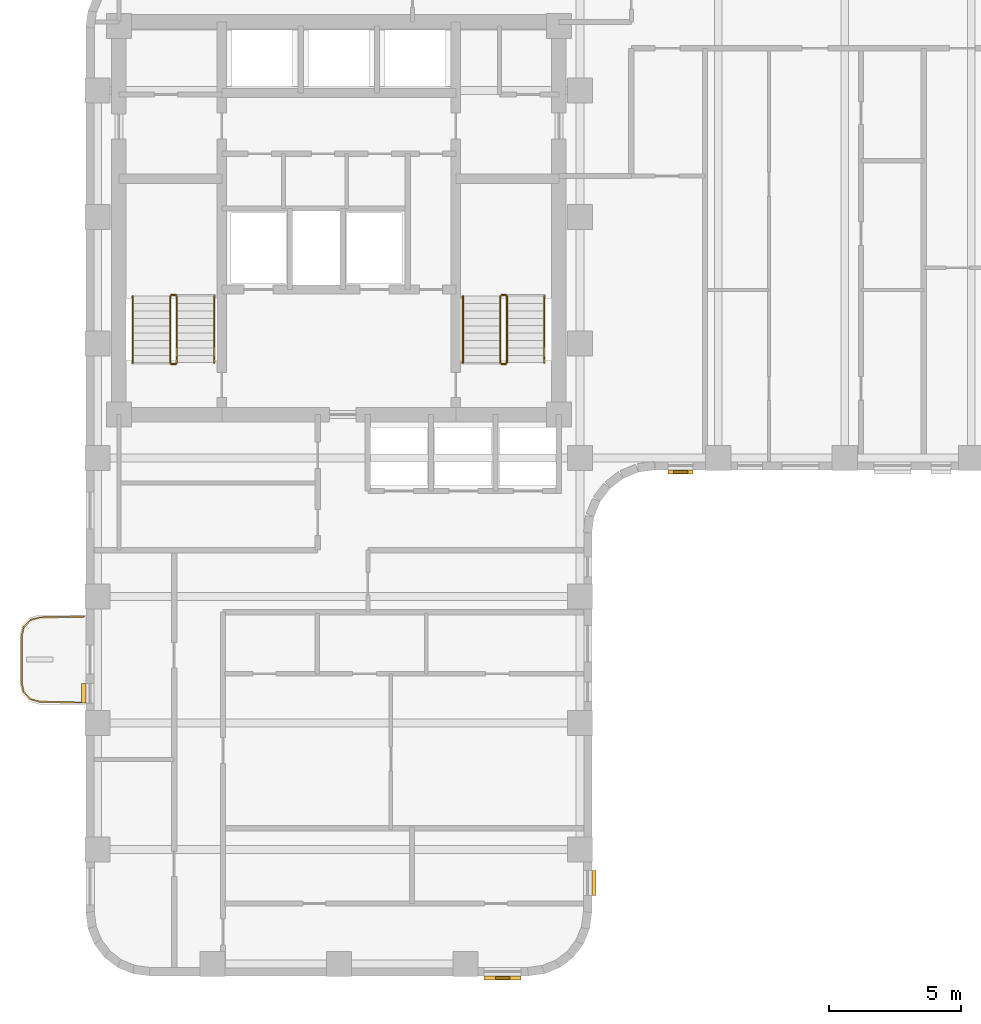
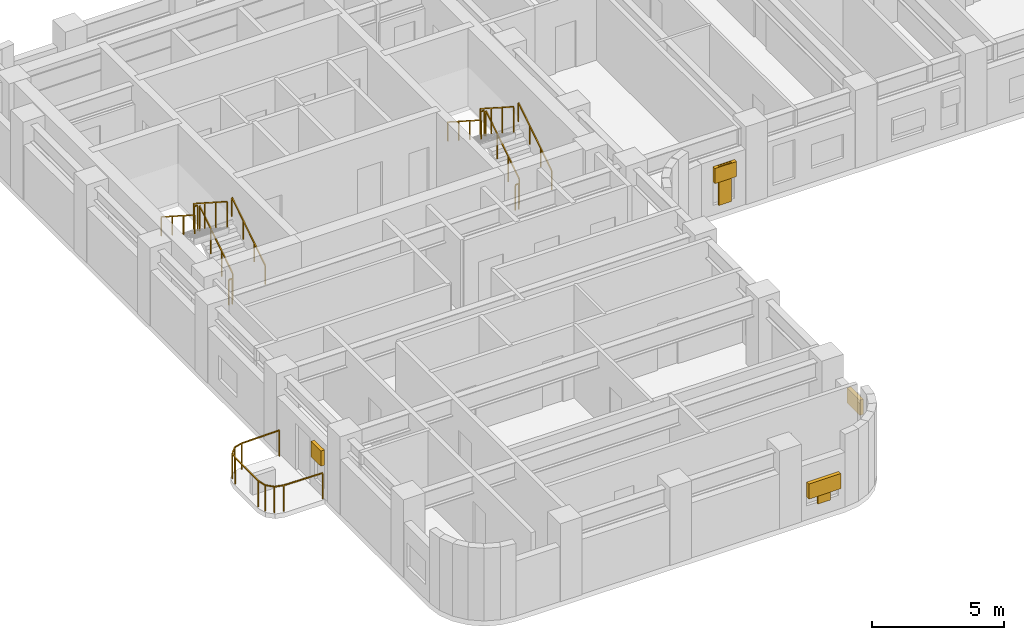
# One storey, part 8 of 10: 13 railings, 6 shading devices.
"""IFC4 building model written with IfcOpenShell, lengths in metres."""

from ifc_helpers import new_model, si_unit, direction, frame, origin, origin_2d, place, context, subcontext, project, spatial, rectangle, extrude, material, type_object, element, save


model = new_model("IFC4")

# Units and contexts
model_context = context("Model", 3, precision=1e-05, world=origin(), true_north=direction((0.0, 1.0)))
body_context = subcontext(model_context, "Body", "Model", "MODEL_VIEW")
ifc_project = project(units=[si_unit("LENGTHUNIT", "METRE"), si_unit("AREAUNIT", "SQUARE_METRE"), si_unit("VOLUMEUNIT", "CUBIC_METRE"), si_unit("PLANEANGLEUNIT", "RADIAN"), si_unit("MASSUNIT", "GRAM", prefix="KILO")], contexts=[model_context])

# Site, building, storey
site_placement = place(None, origin())
site = spatial("IfcSite", under=ifc_project, at=site_placement, CompositionType="ELEMENT")
building_placement = place(site_placement, origin())
building = spatial("IfcBuilding", under=site, at=building_placement, Name="Orvandelia Arch Residences", CompositionType="ELEMENT")
storey_placement = place(building_placement, frame((0.0, 0.0, 143.199951171875)))
storey = spatial("IfcBuildingStorey", under=building, at=storey_placement, Name="L37", CompositionType="ELEMENT", Elevation=143.199951171875)

# Railings
ifc_material_1 = material(Name="Marine-Grade Stainless Steel 316", Category="steel")
railing_type_1 = type_object("IfcRailingType", Name="GRD-BAL-1200", PredefinedType="BALUSTRADE", material=ifc_material_1)
railing_1_placement = place(storey_placement, frame((4.728271484375, 23.23046875, 0.0)))
element("IfcRailing", 1, at=railing_1_placement, inside=storey, type_object=railing_type_1, Name="Safety Balustrade Guard GRD-L37-BAL-L37-W1-1", PredefinedType="BALUSTRADE", context=body_context, shape_type="SweptSolid", body=[
    extrude(rectangle(XDim=0.048095703125, YDim=0.048095703125, at=origin_2d()), frame((0.0, 0.0, 1.19580078125), z_axis=(-0.999834751713, -0.018178813668, 0.0), x_axis=(0.018178813668, -0.999834751713, 0.0)), (0.0, 0.0, 1.0), 1.6787109375),
    extrude(rectangle(XDim=0.048095703125, YDim=0.048095703125, at=origin_2d()), frame((-1.678466796875, -0.030517578125, 1.19580078125), z_axis=(-0.96348920644, -0.267747173792, 0.0), x_axis=(0.267747173792, -0.96348920644, 0.0)), (0.0, 0.0, 1.0), 0.36572265625),
    extrude(rectangle(XDim=0.048095703125, YDim=0.048095703125, at=origin_2d()), frame((-2.03076171875, -0.12841796875, 1.19580078125), z_axis=(-0.688627404251, -0.725115368831, 0.0), x_axis=(0.725115368831, -0.688627404251, 0.0)), (0.0, 0.0, 1.0), 0.367919921875),
    extrude(rectangle(XDim=0.048095703125, YDim=0.048095703125, at=origin_2d()), frame((-2.2841796875, -0.395263671875, 1.19580078125), z_axis=(-0.220461657419, -0.975395641577, 0.0), x_axis=(0.975395641577, -0.220461657419, 0.0)), (0.0, 0.0, 1.0), 0.373291015625),
    extrude(rectangle(XDim=0.048095703125, YDim=0.048095703125, at=origin_2d()), frame((-2.366455078125, -0.75927734375, 1.19580078125), z_axis=(0.0, -1.0, 0.0), x_axis=(1.0, 0.0, 0.0)), (0.0, 0.0, 1.0), 1.742431640625),
    extrude(rectangle(XDim=0.048095703125, YDim=0.048095703125, at=origin_2d()), frame((-2.366455078125, -2.501708984375, 1.19580078125), z_axis=(0.220602419982, -0.975363815352, 0.0), x_axis=(0.975363815352, 0.220602419982, 0.0)), (0.0, 0.0, 1.0), 0.373046875),
    extrude(rectangle(XDim=0.048095703125, YDim=0.048095703125, at=origin_2d()), frame((-2.2841796875, -2.865478515625, 1.19580078125), z_axis=(0.688296224633, -0.725429739642, 0.0), x_axis=(0.725429739642, 0.688296224633, 0.0)), (0.0, 0.0, 1.0), 0.3681640625),
    extrude(rectangle(XDim=0.048095703125, YDim=0.048095703125, at=origin_2d()), frame((-2.03076171875, -3.132568359375, 1.19580078125), z_axis=(0.96348920644, -0.267747173792, 0.0), x_axis=(0.267747173792, 0.96348920644, 0.0)), (0.0, 0.0, 1.0), 0.36572265625),
    extrude(rectangle(XDim=0.048095703125, YDim=0.048095703125, at=origin_2d()), frame((-1.678466796875, -3.23046875, 1.19580078125), z_axis=(0.999834751713, -0.018178813668, 0.0), x_axis=(0.018178813668, 0.999834751713, 0.0)), (0.0, 0.0, 1.0), 1.6787109375),
    extrude(rectangle(XDim=0.0419921875, YDim=0.0419921875, at=origin_2d()), origin(), (0.0, 0.0, 1.0), 1.171875),
    extrude(rectangle(XDim=0.0419921875, YDim=0.0419921875, at=origin_2d()), frame((-1.678466796875, -0.030517578125, 0.0)), (0.0, 0.0, 1.0), 1.171875),
    extrude(rectangle(XDim=0.0419921875, YDim=0.0419921875, at=origin_2d()), frame((-2.03076171875, -0.12841796875, 0.0)), (0.0, 0.0, 1.0), 1.171875),
    extrude(rectangle(XDim=0.0419921875, YDim=0.0419921875, at=origin_2d()), frame((-2.2841796875, -0.395263671875, 0.0)), (0.0, 0.0, 1.0), 1.171875),
    extrude(rectangle(XDim=0.0419921875, YDim=0.0419921875, at=origin_2d()), frame((-2.366455078125, -0.75927734375, 0.0)), (0.0, 0.0, 1.0), 1.171875),
    extrude(rectangle(XDim=0.0419921875, YDim=0.0419921875, at=origin_2d()), frame((-2.366455078125, -2.501708984375, 0.0)), (0.0, 0.0, 1.0), 1.171875),
    extrude(rectangle(XDim=0.0419921875, YDim=0.0419921875, at=origin_2d()), frame((-2.2841796875, -2.865478515625, 0.0)), (0.0, 0.0, 1.0), 1.171875),
    extrude(rectangle(XDim=0.0419921875, YDim=0.0419921875, at=origin_2d()), frame((-2.03076171875, -3.132568359375, 0.0)), (0.0, 0.0, 1.0), 1.171875),
    extrude(rectangle(XDim=0.0419921875, YDim=0.0419921875, at=origin_2d()), frame((-1.678466796875, -3.23046875, 0.0)), (0.0, 0.0, 1.0), 1.171875),
    extrude(rectangle(XDim=0.0419921875, YDim=0.0419921875, at=origin_2d()), frame((0.0, -3.260986328125, 0.0)), (0.0, 0.0, 1.0), 1.171875),
])
ifc_material_2 = material(Name="Brushed Stainless Steel 304", Category="steel")
railing_type_2 = type_object("IfcRailingType", Name="RL-STAIR-GD1120", PredefinedType="GUARDRAIL", material=ifc_material_2)
railing_2_placement = place(storey_placement, frame((8.25, 32.8701171875, 0.179931640625)))
element("IfcRailing", 2, at=railing_2_placement, inside=storey, type_object=railing_type_2, Name="L37 ST-1 stair guard 1", PredefinedType="GUARDRAIL", context=body_context, shape_type="SweptSolid", body=[
    extrude(rectangle(XDim=0.048095703125, YDim=0.048095703125, at=origin_2d()), frame((0.0, 0.0, 1.17578125), z_axis=(0.0, 0.841138753965, 0.540819375188), x_axis=(-1.0, 0.0, 0.0)), (0.0, 0.0, 1.0), 2.99560546875),
    extrude(rectangle(XDim=0.0419921875, YDim=0.0419921875, at=origin_2d()), origin(), (0.0, 0.0, 1.0), 1.15185546875),
    extrude(rectangle(XDim=0.0419921875, YDim=0.0419921875, at=origin_2d()), frame((0.0, 0.83984375, 0.5400390625)), (0.0, 0.0, 1.0), 1.15185546875),
    extrude(rectangle(XDim=0.0419921875, YDim=0.0419921875, at=origin_2d()), frame((0.0, 1.679931640625, 1.080078125)), (0.0, 0.0, 1.0), 1.15185546875),
    extrude(rectangle(XDim=0.0419921875, YDim=0.0419921875, at=origin_2d()), frame((0.0, 2.519775390625, 1.6201171875)), (0.0, 0.0, 1.0), 1.15185546875),
])
railing_3_placement = place(storey_placement, frame((8.199951171875, 35.43994140625, 1.800048828125)))
element("IfcRailing", 3, at=railing_3_placement, inside=storey, type_object=railing_type_2, Name="L37 ST-1 stair guard 2", PredefinedType="GUARDRAIL", context=body_context, shape_type="SweptSolid", body=[
    extrude(rectangle(XDim=0.048095703125, YDim=0.048095703125, at=origin_2d()), frame((0.0, 0.0, 1.17578125), z_axis=(-1.0, 0.0, 0.0), x_axis=(0.0, -1.0, 0.0)), (0.0, 0.0, 1.0), 0.14990234375),
    extrude(rectangle(XDim=0.0419921875, YDim=0.0419921875, at=origin_2d()), origin(), (0.0, 0.0, 1.0), 1.15185546875),
    extrude(rectangle(XDim=0.0419921875, YDim=0.0419921875, at=origin_2d()), frame((-0.14990234375, 0.0, 0.0)), (0.0, 0.0, 1.0), 1.15185546875),
])
railing_4_placement = place(storey_placement, frame((8.0, 35.389892578125, 1.97998046875)))
element("IfcRailing", 4, at=railing_4_placement, inside=storey, type_object=railing_type_2, Name="L37 ST-1 stair guard 3", PredefinedType="GUARDRAIL", context=body_context, shape_type="SweptSolid", body=[
    extrude(rectangle(XDim=0.048095703125, YDim=0.048095703125, at=origin_2d()), frame((0.0, 0.0, 1.17578125), z_axis=(0.0, -0.841138753965, 0.540819375188), x_axis=(1.0, 0.0, 0.0)), (0.0, 0.0, 1.0), 2.99560546875),
    extrude(rectangle(XDim=0.0419921875, YDim=0.0419921875, at=origin_2d()), origin(), (0.0, 0.0, 1.0), 1.15185546875),
    extrude(rectangle(XDim=0.0419921875, YDim=0.0419921875, at=origin_2d()), frame((0.0, -0.83984375, 0.5400390625)), (0.0, 0.0, 1.0), 1.15185546875),
    extrude(rectangle(XDim=0.0419921875, YDim=0.0419921875, at=origin_2d()), frame((0.0, -1.679931640625, 1.080078125)), (0.0, 0.0, 1.0), 1.15185546875),
    extrude(rectangle(XDim=0.0419921875, YDim=0.0419921875, at=origin_2d()), frame((0.0, -2.519775390625, 1.6201171875)), (0.0, 0.0, 1.0), 1.15185546875),
])
railing_5_placement = place(storey_placement, frame((8.199951171875, 32.820068359375, 0.0)))
element("IfcRailing", 5, at=railing_5_placement, inside=storey, type_object=railing_type_2, Name="L37 ST-1 stair guard 4", PredefinedType="GUARDRAIL", context=body_context, shape_type="SweptSolid", body=[
    extrude(rectangle(XDim=0.048095703125, YDim=0.048095703125, at=origin_2d()), frame((0.0, 0.0, 1.17578125), z_axis=(-1.0, 0.0, 0.0), x_axis=(0.0, -1.0, 0.0)), (0.0, 0.0, 1.0), 0.14990234375),
    extrude(rectangle(XDim=0.0419921875, YDim=0.0419921875, at=origin_2d()), origin(), (0.0, 0.0, 1.0), 1.15185546875),
    extrude(rectangle(XDim=0.0419921875, YDim=0.0419921875, at=origin_2d()), frame((-0.14990234375, 0.0, 0.0)), (0.0, 0.0, 1.0), 1.15185546875),
])
railing_6_placement = place(storey_placement, frame((20.780029296875, 32.8701171875, 0.179931640625)))
element("IfcRailing", 6, at=railing_6_placement, inside=storey, type_object=railing_type_2, Name="L37 ST-2 stair guard 1", PredefinedType="GUARDRAIL", context=body_context, shape_type="SweptSolid", body=[
    extrude(rectangle(XDim=0.048095703125, YDim=0.048095703125, at=origin_2d()), frame((0.0, 0.0, 1.17578125), z_axis=(0.0, 0.841138753965, 0.540819375188), x_axis=(-1.0, 0.0, 0.0)), (0.0, 0.0, 1.0), 2.99560546875),
    extrude(rectangle(XDim=0.0419921875, YDim=0.0419921875, at=origin_2d()), origin(), (0.0, 0.0, 1.0), 1.15185546875),
    extrude(rectangle(XDim=0.0419921875, YDim=0.0419921875, at=origin_2d()), frame((0.0, 0.83984375, 0.5400390625)), (0.0, 0.0, 1.0), 1.15185546875),
    extrude(rectangle(XDim=0.0419921875, YDim=0.0419921875, at=origin_2d()), frame((0.0, 1.679931640625, 1.080078125)), (0.0, 0.0, 1.0), 1.15185546875),
    extrude(rectangle(XDim=0.0419921875, YDim=0.0419921875, at=origin_2d()), frame((0.0, 2.519775390625, 1.6201171875)), (0.0, 0.0, 1.0), 1.15185546875),
])
railing_7_placement = place(storey_placement, frame((20.72998046875, 35.43994140625, 1.800048828125)))
element("IfcRailing", 7, at=railing_7_placement, inside=storey, type_object=railing_type_2, Name="L37 ST-2 stair guard 2", PredefinedType="GUARDRAIL", context=body_context, shape_type="SweptSolid", body=[
    extrude(rectangle(XDim=0.048095703125, YDim=0.048095703125, at=origin_2d()), frame((0.0, 0.0, 1.17578125), z_axis=(-1.0, 0.0, 0.0), x_axis=(0.0, -1.0, 0.0)), (0.0, 0.0, 1.0), 0.14990234375),
    extrude(rectangle(XDim=0.0419921875, YDim=0.0419921875, at=origin_2d()), origin(), (0.0, 0.0, 1.0), 1.15185546875),
    extrude(rectangle(XDim=0.0419921875, YDim=0.0419921875, at=origin_2d()), frame((-0.14990234375, 0.0, 0.0)), (0.0, 0.0, 1.0), 1.15185546875),
])
railing_8_placement = place(storey_placement, frame((20.530029296875, 35.389892578125, 1.97998046875)))
element("IfcRailing", 8, at=railing_8_placement, inside=storey, type_object=railing_type_2, Name="L37 ST-2 stair guard 3", PredefinedType="GUARDRAIL", context=body_context, shape_type="SweptSolid", body=[
    extrude(rectangle(XDim=0.048095703125, YDim=0.048095703125, at=origin_2d()), frame((0.0, 0.0, 1.17578125), z_axis=(0.0, -0.841138753965, 0.540819375188), x_axis=(1.0, 0.0, 0.0)), (0.0, 0.0, 1.0), 2.99560546875),
    extrude(rectangle(XDim=0.0419921875, YDim=0.0419921875, at=origin_2d()), origin(), (0.0, 0.0, 1.0), 1.15185546875),
    extrude(rectangle(XDim=0.0419921875, YDim=0.0419921875, at=origin_2d()), frame((0.0, -0.83984375, 0.5400390625)), (0.0, 0.0, 1.0), 1.15185546875),
    extrude(rectangle(XDim=0.0419921875, YDim=0.0419921875, at=origin_2d()), frame((0.0, -1.679931640625, 1.080078125)), (0.0, 0.0, 1.0), 1.15185546875),
    extrude(rectangle(XDim=0.0419921875, YDim=0.0419921875, at=origin_2d()), frame((0.0, -2.519775390625, 1.6201171875)), (0.0, 0.0, 1.0), 1.15185546875),
])
railing_9_placement = place(storey_placement, frame((20.72998046875, 32.820068359375, 0.0)))
element("IfcRailing", 9, at=railing_9_placement, inside=storey, type_object=railing_type_2, Name="L37 ST-2 stair guard 4", PredefinedType="GUARDRAIL", context=body_context, shape_type="SweptSolid", body=[
    extrude(rectangle(XDim=0.048095703125, YDim=0.048095703125, at=origin_2d()), frame((0.0, 0.0, 1.17578125), z_axis=(-1.0, 0.0, 0.0), x_axis=(0.0, -1.0, 0.0)), (0.0, 0.0, 1.0), 0.14990234375),
    extrude(rectangle(XDim=0.0419921875, YDim=0.0419921875, at=origin_2d()), origin(), (0.0, 0.0, 1.0), 1.15185546875),
    extrude(rectangle(XDim=0.0419921875, YDim=0.0419921875, at=origin_2d()), frame((-0.14990234375, 0.0, 0.0)), (0.0, 0.0, 1.0), 1.15185546875),
])
railing_type_3 = type_object("IfcRailingType", Name="RL-STAIR-HR920", PredefinedType="HANDRAIL", material=ifc_material_2)
railing_10_placement = place(storey_placement, frame((9.669921875, 32.8701171875, 0.360107421875)))
element("IfcRailing", 10, at=railing_10_placement, inside=storey, type_object=railing_type_3, Name="L37 ST-1 stair handrail 1", PredefinedType="HANDRAIL", context=body_context, shape_type="SweptSolid", body=[
    extrude(rectangle(XDim=0.048095703125, YDim=0.048095703125, at=origin_2d()), frame((0.0, 0.0, 0.8759765625), z_axis=(0.0, 0.841175827307, 0.540761710511), x_axis=(-1.0, 0.0, 0.0)), (0.0, 0.0, 1.0), 2.99560546875),
    extrude(rectangle(XDim=0.0419921875, YDim=0.0419921875, at=origin_2d()), origin(), (0.0, 0.0, 1.0), 0.851806640625),
    extrude(rectangle(XDim=0.0419921875, YDim=0.0419921875, at=origin_2d()), frame((0.0, 0.83984375, 0.5400390625)), (0.0, 0.0, 1.0), 0.851806640625),
    extrude(rectangle(XDim=0.0419921875, YDim=0.0419921875, at=origin_2d()), frame((0.0, 1.679931640625, 1.079833984375)), (0.0, 0.0, 1.0), 0.851806640625),
    extrude(rectangle(XDim=0.0419921875, YDim=0.0419921875, at=origin_2d()), frame((0.0, 2.519775390625, 1.619873046875)), (0.0, 0.0, 1.0), 0.851806640625),
])
railing_11_placement = place(storey_placement, frame((6.580078125, 35.389892578125, 2.16015625)))
element("IfcRailing", 11, at=railing_11_placement, inside=storey, type_object=railing_type_3, Name="L37 ST-1 stair handrail 2", PredefinedType="HANDRAIL", context=body_context, shape_type="SweptSolid", body=[
    extrude(rectangle(XDim=0.048095703125, YDim=0.048095703125, at=origin_2d()), frame((0.0, 0.0, 0.8759765625), z_axis=(0.0, -0.841175827307, 0.540761710511), x_axis=(1.0, 0.0, 0.0)), (0.0, 0.0, 1.0), 2.99560546875),
    extrude(rectangle(XDim=0.0419921875, YDim=0.0419921875, at=origin_2d()), origin(), (0.0, 0.0, 1.0), 0.851806640625),
    extrude(rectangle(XDim=0.0419921875, YDim=0.0419921875, at=origin_2d()), frame((0.0, -0.83984375, 0.5400390625)), (0.0, 0.0, 1.0), 0.851806640625),
    extrude(rectangle(XDim=0.0419921875, YDim=0.0419921875, at=origin_2d()), frame((0.0, -1.679931640625, 1.079833984375)), (0.0, 0.0, 1.0), 0.851806640625),
    extrude(rectangle(XDim=0.0419921875, YDim=0.0419921875, at=origin_2d()), frame((0.0, -2.519775390625, 1.619873046875)), (0.0, 0.0, 1.0), 0.851806640625),
])
railing_12_placement = place(storey_placement, frame((22.199951171875, 32.8701171875, 0.360107421875)))
element("IfcRailing", 12, at=railing_12_placement, inside=storey, type_object=railing_type_3, Name="L37 ST-2 stair handrail 1", PredefinedType="HANDRAIL", context=body_context, shape_type="SweptSolid", body=[
    extrude(rectangle(XDim=0.048095703125, YDim=0.048095703125, at=origin_2d()), frame((0.0, 0.0, 0.8759765625), z_axis=(0.0, 0.841175827307, 0.540761710511), x_axis=(-1.0, 0.0, 0.0)), (0.0, 0.0, 1.0), 2.99560546875),
    extrude(rectangle(XDim=0.0419921875, YDim=0.0419921875, at=origin_2d()), origin(), (0.0, 0.0, 1.0), 0.851806640625),
    extrude(rectangle(XDim=0.0419921875, YDim=0.0419921875, at=origin_2d()), frame((0.0, 0.83984375, 0.5400390625)), (0.0, 0.0, 1.0), 0.851806640625),
    extrude(rectangle(XDim=0.0419921875, YDim=0.0419921875, at=origin_2d()), frame((0.0, 1.679931640625, 1.079833984375)), (0.0, 0.0, 1.0), 0.851806640625),
    extrude(rectangle(XDim=0.0419921875, YDim=0.0419921875, at=origin_2d()), frame((0.0, 2.519775390625, 1.619873046875)), (0.0, 0.0, 1.0), 0.851806640625),
])
railing_13_placement = place(storey_placement, frame((19.110107421875, 35.389892578125, 2.16015625)))
element("IfcRailing", 13, at=railing_13_placement, inside=storey, type_object=railing_type_3, Name="L37 ST-2 stair handrail 2", PredefinedType="HANDRAIL", context=body_context, shape_type="SweptSolid", body=[
    extrude(rectangle(XDim=0.048095703125, YDim=0.048095703125, at=origin_2d()), frame((0.0, 0.0, 0.8759765625), z_axis=(0.0, -0.841175827307, 0.540761710511), x_axis=(1.0, 0.0, 0.0)), (0.0, 0.0, 1.0), 2.99560546875),
    extrude(rectangle(XDim=0.0419921875, YDim=0.0419921875, at=origin_2d()), origin(), (0.0, 0.0, 1.0), 0.851806640625),
    extrude(rectangle(XDim=0.0419921875, YDim=0.0419921875, at=origin_2d()), frame((0.0, -0.83984375, 0.5400390625)), (0.0, 0.0, 1.0), 0.851806640625),
    extrude(rectangle(XDim=0.0419921875, YDim=0.0419921875, at=origin_2d()), frame((0.0, -1.679931640625, 1.079833984375)), (0.0, 0.0, 1.0), 0.851806640625),
    extrude(rectangle(XDim=0.0419921875, YDim=0.0419921875, at=origin_2d()), frame((0.0, -2.519775390625, 1.619873046875)), (0.0, 0.0, 1.0), 0.851806640625),
])

# Shading devices
ifc_material_3 = material(Name="Anodised Champagne-Bronze Extruded Aluminium", Category="aluminium")
shading_device_type_1 = type_object("IfcShadingDeviceType", Name="SHD-JALOUSIE-SCREEN", PredefinedType="JALOUSIE", material=ifc_material_3)
for number, where, z_axis, x_axis, name in (
    (14, (27.3701171875, 28.719970703125, 1.55029296875), (0.0, 0.0, 1.0), (-1.0, 0.0, 0.0), "Bronze Jalousie Sun-Shade L37-003"),
    (15, (24.080078125, 13.12353515625, 1.55029296875), (0.0, 0.0, 1.0), (0.0, -1.0, 0.0), "Bronze Jalousie Sun-Shade L37-005"),
):
    element("IfcShadingDevice", number, at=place(storey_placement, frame(where, z_axis=z_axis, x_axis=x_axis)), inside=storey, type_object=shading_device_type_1, Name=name, PredefinedType="JALOUSIE", context=body_context, shape_type="SweptSolid", body=[
        extrude(rectangle(XDim=0.949951171875, YDim=0.159912109375, at=origin_2d()), origin(), (0.0, 0.0, 1.0), 0.699951171875),
    ])
shading_device_1_placement = place(storey_placement, frame((20.617431640625, 9.52001953125, 1.05029296875), z_axis=(0.0, 0.0, 1.0), x_axis=(-1.0, 0.0, 0.0)))
element("IfcShadingDevice", 16, at=shading_device_1_placement, inside=storey, type_object=shading_device_type_1, Name="Bronze Jalousie Sun-Shade L37-006", PredefinedType="JALOUSIE", context=body_context, shape_type="SweptSolid", body=[
    extrude(rectangle(XDim=1.39990234375, YDim=0.159912109375, at=origin_2d()), origin(), (0.0, 0.0, 1.0), 0.699951171875),
])
shading_device_2_placement = place(storey_placement, frame((4.719970703125, 20.322509765625, 1.55029296875), z_axis=(0.0, 0.0, 1.0), x_axis=(0.0, 1.0, 0.0)))
element("IfcShadingDevice", 17, at=shading_device_2_placement, inside=storey, type_object=shading_device_type_1, Name="Bronze Jalousie Sun-Shade L37-007", PredefinedType="JALOUSIE", context=body_context, shape_type="SweptSolid", body=[
    extrude(rectangle(XDim=0.75, YDim=0.159912109375, at=origin_2d()), origin(), (0.0, 0.0, 1.0), 0.699951171875),
])
ifc_material_4 = material(Name="Marine-Grade Perforated Aluminium Storm Shutter", Category="aluminium")
shading_device_type_2 = type_object("IfcShadingDeviceType", Name="SHD-STORM-SHUTTER", PredefinedType="SHUTTER", material=ifc_material_4)
shading_device_3_placement = place(storey_placement, frame((27.3701171875, 28.719970703125, 0.4501953125), z_axis=(0.0, 0.0, 1.0), x_axis=(-1.0, 0.0, 0.0)))
element("IfcShadingDevice", 18, at=shading_device_3_placement, inside=storey, type_object=shading_device_type_2, Name="Operable Typhoon Storm Shutter L37-003", PredefinedType="SHUTTER", context=body_context, shape_type="SweptSolid", body=[
    extrude(rectangle(XDim=0.550048828125, YDim=0.080078125, at=origin_2d()), origin(), (0.0, 0.0, 1.0), 1.800048828125),
])
shading_device_4_placement = place(storey_placement, frame((20.617431640625, 9.52001953125, 0.64990234375), z_axis=(0.0, 0.0, 1.0), x_axis=(-1.0, 0.0, 0.0)))
element("IfcShadingDevice", 19, at=shading_device_4_placement, inside=storey, type_object=shading_device_type_2, Name="Operable Typhoon Storm Shutter L37-006", PredefinedType="SHUTTER", context=body_context, shape_type="SweptSolid", body=[
    extrude(rectangle(XDim=0.550048828125, YDim=0.080078125, at=origin_2d()), origin(), (0.0, 0.0, 1.0), 1.10009765625),
])

save(model, "model.ifc")
